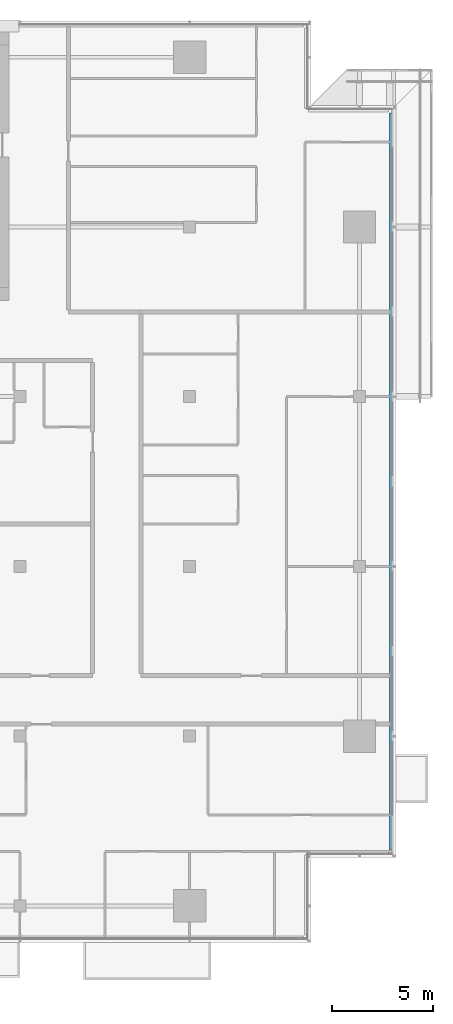
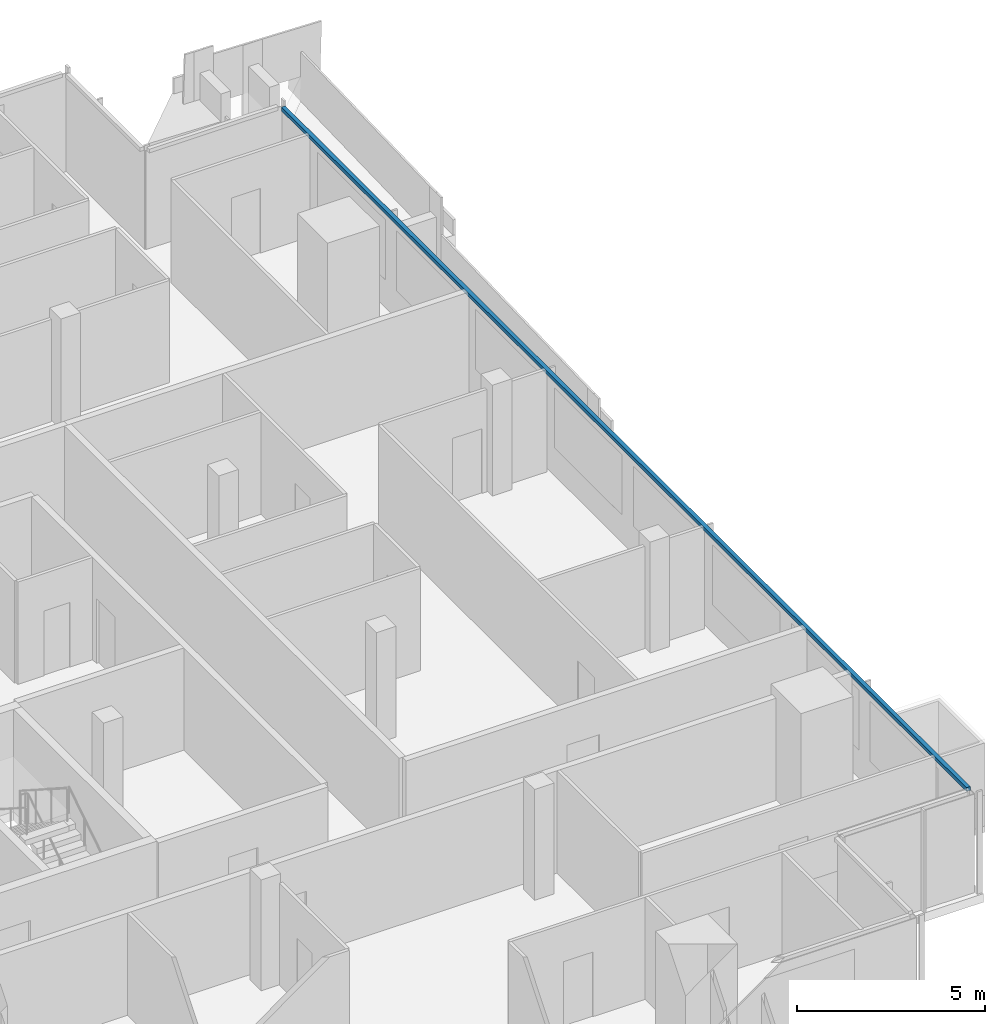
# One storey, part 13 of 30: 1 member, 1 element without a shape of its own.
"""IFC4 building model written with IfcOpenShell, lengths in metres."""

from ifc_helpers import new_model, si_unit, direction, frame, origin, origin_2d, place, context, subcontext, project, spatial, rectangle, extrude, material, material_profile, profile_set, type_object, element, aggregate, save


model = new_model("IFC4")

# Units and contexts
model_context = context("Model", 3, precision=1e-05, world=origin(), true_north=direction((0.0, 1.0)))
body_context = subcontext(model_context, "Body", "Model", "MODEL_VIEW")
ifc_project = project(units=[si_unit("LENGTHUNIT", "METRE"), si_unit("AREAUNIT", "SQUARE_METRE"), si_unit("VOLUMEUNIT", "CUBIC_METRE"), si_unit("PLANEANGLEUNIT", "RADIAN"), si_unit("MASSUNIT", "GRAM", prefix="KILO")], contexts=[model_context])

# Site, building, storey
site_placement = place(None, origin())
site = spatial("IfcSite", under=ifc_project, at=site_placement, CompositionType="ELEMENT")
building_placement = place(site_placement, origin())
building = spatial("IfcBuilding", under=site, at=building_placement, Name="Saffron Gate Tower", CompositionType="ELEMENT")
storey_placement = place(building_placement, frame((0.0, 0.0, 223.5)))
storey = spatial("IfcBuildingStorey", under=building, at=storey_placement, Name="L54", CompositionType="ELEMENT", Elevation=223.5)

# Curtain wall, member
ifc_material = material(Name="Aluminium, bronze anodised", Category="aluminium")
curtain_wall_type = type_object("IfcCurtainWallType", Name="CWS2 curtain wall side facades", PredefinedType="NOTDEFINED", material=ifc_material)
curtain_wall_placement = place(storey_placement, origin())
curtain_wall = element("IfcCurtainWall", 1, at=curtain_wall_placement, inside=storey, type_object=curtain_wall_type, Name="CWS2 run 4", PredefinedType="NOTDEFINED")
ifc_material_profile = material_profile(ifc_material, rectangle(XDim=0.1201171875, YDim=0.1201171875, at=origin_2d()))
ifc_profile_set = profile_set([ifc_material_profile], Name="Aluminium, bronze anodised")
member_type = type_object("IfcMemberType", Name="CWS2 head transom", PredefinedType="USERDEFINED", material=ifc_profile_set)
member_placement = place(storey_placement, frame((126.951904296875, 34.568115234375, 3.260009765625), z_axis=(0.0, 1.0, 0.0), x_axis=(-1.0, 0.0, 0.0)))
member = element("IfcMember", 2, at=member_placement, type_object=member_type, Name="CWS2 head transom", ObjectType="TRANSOM", PredefinedType="USERDEFINED", context=body_context, shape_type="SweptSolid", body=[
    extrude(rectangle(XDim=0.1201171875, YDim=0.1201171875, at=origin_2d()), origin(), (0.0, 0.0, 1.0), 36.4638671875),
])
aggregate(curtain_wall, [member])

save(model, "model.ifc")
